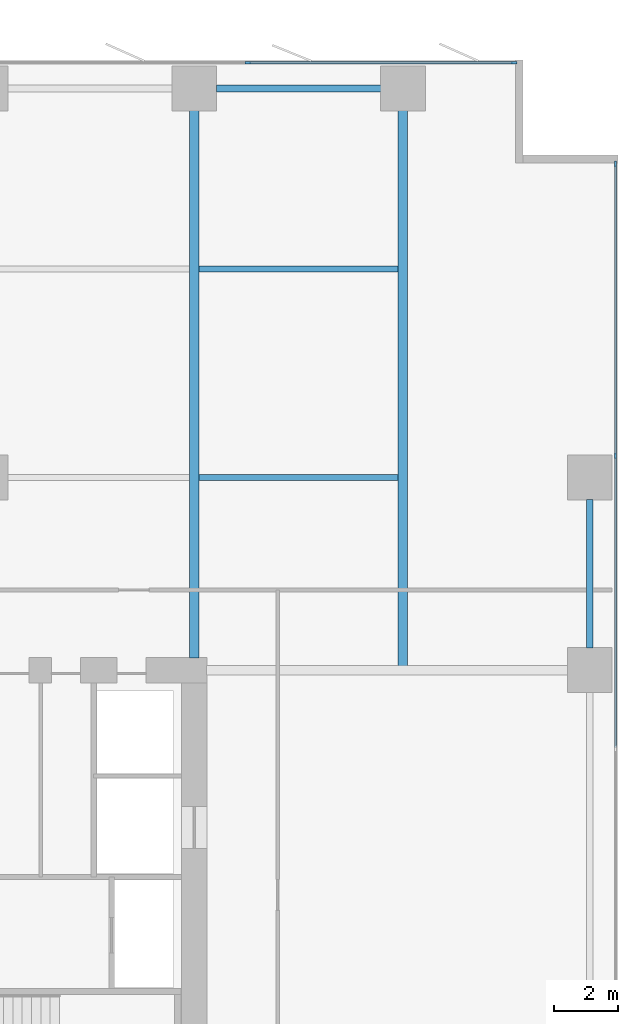
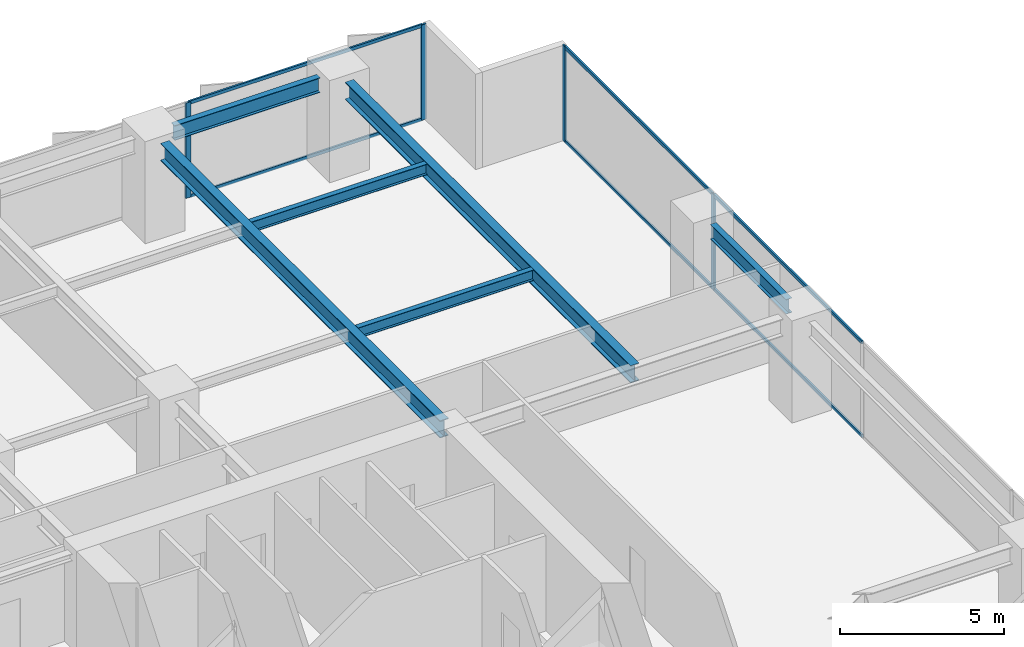
# One storey, part 11 of 21: 10 members, 6 beams, 2 elements without a shape of their own.
"""IFC4 building model written with IfcOpenShell, lengths in metres."""

from ifc_helpers import new_model, si_unit, direction, frame, origin, origin_2d, place, context, subcontext, project, spatial, rectangle, i_section, extrude, material, layer, layer_set, material_profile, profile_set, type_object, element, aggregate, save


model = new_model("IFC4")

# Units and contexts
model_context = context("Model", 3, precision=1e-05, world=origin(), true_north=direction((0.0, 1.0)))
body_context = subcontext(model_context, "Body", "Model", "MODEL_VIEW")
ifc_project = project(units=[si_unit("LENGTHUNIT", "METRE"), si_unit("AREAUNIT", "SQUARE_METRE"), si_unit("VOLUMEUNIT", "CUBIC_METRE"), si_unit("PLANEANGLEUNIT", "RADIAN"), si_unit("MASSUNIT", "GRAM", prefix="KILO")], contexts=[model_context])

# Site, building, storey
site_placement = place(None, origin())
site = spatial("IfcSite", under=ifc_project, at=site_placement, CompositionType="ELEMENT")
building_placement = place(site_placement, origin())
building = spatial("IfcBuilding", under=site, at=building_placement, Name="Putna Gate Headquarters", CompositionType="ELEMENT")
storey_placement = place(building_placement, frame((0.0, 0.0, 39.199951171875)))
storey = spatial("IfcBuildingStorey", under=building, at=storey_placement, Name="L08", CompositionType="ELEMENT", Elevation=39.199951171875)

# Beams
ifc_material_1 = material(Name="Steel S355J2", Category="steel")
ifc_material_profile_1 = material_profile(ifc_material_1, i_section(OverallWidth=0.300048828125, OverallDepth=0.64990234375, WebThickness=0.01611328125, FlangeThickness=0.031005859375, at=origin_2d()), Name="Steel S355J2")
ifc_profile_set_1 = profile_set([ifc_material_profile_1], Name="Steel S355J2")
beam_type_1 = type_object("IfcBeamType", Name="BM-GIRD-Z1-HEB650", PredefinedType="USERDEFINED", material=ifc_profile_set_1)
beam_1_placement = place(storey_placement, frame((65.0, 33.385009765625, 3.22509765625), z_axis=(0.0, 1.0, 0.0), x_axis=(-1.0, 0.0, 0.0)))
element("IfcBeam", 1, at=beam_1_placement, inside=storey, type_object=beam_type_1, Name="L08 North Primary Girder X65", ObjectType="GIRDER", PredefinedType="USERDEFINED", context=body_context, shape_type="SweptSolid", body=[
    extrude(i_section(OverallWidth=0.300048828125, OverallDepth=0.64990234375, WebThickness=0.01611328125, FlangeThickness=0.031005859375, at=origin_2d()), origin(), (0.0, 0.0, 1.0), 17.046875),
])
beam_2_placement = place(storey_placement, frame((71.5, 33.011962890625, 3.22509765625), z_axis=(0.0, 1.0, 0.0), x_axis=(-1.0, 0.0, 0.0)))
element("IfcBeam", 2, at=beam_2_placement, inside=storey, type_object=beam_type_1, Name="L08 North Primary Girder X71", ObjectType="GIRDER", PredefinedType="USERDEFINED", context=body_context, shape_type="SweptSolid", body=[
    extrude(i_section(OverallWidth=0.300048828125, OverallDepth=0.64990234375, WebThickness=0.01611328125, FlangeThickness=0.031005859375, at=origin_2d()), origin(), (0.0, 0.0, 1.0), 17.419921875),
])
ifc_material_profile_2 = material_profile(ifc_material_1, i_section(OverallWidth=0.179931640625, OverallDepth=0.39990234375, WebThickness=0.008544921875, FlangeThickness=0.013427734375, at=origin_2d()), Name="Steel S355J2")
ifc_profile_set_2 = profile_set([ifc_material_profile_2], Name="Steel S355J2")
beam_type_2 = type_object("IfcBeamType", Name="BM-SEC-Z1-IPE400", PredefinedType="BEAM", material=ifc_profile_set_2)
for number, where, z_axis, x_axis, name in (
    (3, (65.154052734375, 39.0, 3.35009765625), (1.0, 0.0, 0.0), (0.0, 1.0, 0.0), "L08 North Secondary Beam 10"),
    (4, (65.154052734375, 45.5, 3.35009765625), (1.0, 0.0, 0.0), (0.0, 1.0, 0.0), "L08 North Secondary Beam 10"),
):
    element("IfcBeam", number, at=place(storey_placement, frame(where, z_axis=z_axis, x_axis=x_axis)), inside=storey, type_object=beam_type_2, Name=name, PredefinedType="BEAM", context=body_context, shape_type="SweptSolid", body=[
        extrude(i_section(OverallWidth=0.179931640625, OverallDepth=0.39990234375, WebThickness=0.008544921875, FlangeThickness=0.013427734375, at=origin_2d()), origin(), (0.0, 0.0, 1.0), 6.19189453125),
    ])
ifc_material_profile_3 = material_profile(ifc_material_1, i_section(OverallWidth=0.2099609375, OverallDepth=0.550048828125, WebThickness=0.010986328125, FlangeThickness=0.01708984375, at=origin_2d()), Name="Steel S355J2")
ifc_profile_set_3 = profile_set([ifc_material_profile_3], Name="Steel S355J2")
beam_type_3 = type_object("IfcBeamType", Name="BM-SPAN-Z1-IPE550", PredefinedType="SPANDREL", material=ifc_profile_set_3)
beam_3_placement = place(storey_placement, frame((65.68798828125, 51.1201171875, 3.275146484375), z_axis=(1.0, 0.0, 0.0), x_axis=(0.0, 1.0, 0.0)))
element("IfcBeam", 5, at=beam_3_placement, inside=storey, type_object=beam_type_3, Name="L08 N Perimeter Spandrel 10", PredefinedType="SPANDREL", context=body_context, shape_type="SweptSolid", body=[
    extrude(i_section(OverallWidth=0.2099609375, OverallDepth=0.550048828125, WebThickness=0.010986328125, FlangeThickness=0.01708984375, at=origin_2d()), origin(), (0.0, 0.0, 1.0), 5.1240234375),
])
beam_4_placement = place(storey_placement, frame((77.320068359375, 33.68798828125, 3.275146484375), z_axis=(0.0, 1.0, 0.0), x_axis=(-1.0, 0.0, 0.0)))
element("IfcBeam", 6, at=beam_4_placement, inside=storey, type_object=beam_type_3, Name="L08 E End Spandrel 3", PredefinedType="SPANDREL", context=body_context, shape_type="SweptSolid", body=[
    extrude(i_section(OverallWidth=0.2099609375, OverallDepth=0.550048828125, WebThickness=0.010986328125, FlangeThickness=0.01708984375, at=origin_2d()), origin(), (0.0, 0.0, 1.0), 4.6240234375),
])

# Curtain wall, members
ifc_material_2 = material(Name="Anodised bronze aluminium curtain wall", Category="aluminium")
ifc_layer = layer(ifc_material_2, 0.179931640625)
ifc_layer_set = layer_set([ifc_layer], Name="Anodised bronze aluminium curtain wall")
curtain_wall_type = type_object("IfcCurtainWallType", Name="CW-SYS-Z1", PredefinedType="USERDEFINED", material=ifc_layer_set)
curtain_wall_1_placement = place(storey_placement, origin())
curtain_wall_1 = element("IfcCurtainWall", 7, at=curtain_wall_1_placement, inside=storey, type_object=curtain_wall_type, Name="L08 North East Curtain Wall", ObjectType="STICK CURTAIN WALL", PredefinedType="USERDEFINED")
ifc_material_3 = material(Name="Anodised bronze aluminium EN AW-6060", Category="aluminium")
ifc_material_profile_4 = material_profile(ifc_material_3, rectangle(XDim=0.070068359375, YDim=0.179931640625, at=origin_2d()), Name="Anodised bronze aluminium EN AW-6060")
ifc_profile_set_4 = profile_set([ifc_material_profile_4], Name="Anodised bronze aluminium EN AW-6060")
member_type_1 = type_object("IfcMemberType", Name="MULL-CWM-1", PredefinedType="MULLION", material=ifc_profile_set_4)
member_1_placement = place(storey_placement, frame((66.666748046875, 51.919921875, 0.0), z_axis=(0.0, 0.0, 1.0), x_axis=(0.0, 1.0, 0.0)))
member_1 = element("IfcMember", 8, at=member_1_placement, type_object=member_type_1, Name="CWS-1 mullion 3", PredefinedType="MULLION", context=body_context, shape_type="SweptSolid", body=[
    extrude(rectangle(XDim=0.070068359375, YDim=0.179931640625, at=origin_2d()), origin(), (0.0, 0.0, 1.0), 3.550048828125),
])
member_2_placement = place(storey_placement, frame((74.965087890625, 51.919921875, 0.0), z_axis=(0.0, 0.0, 1.0), x_axis=(0.0, 1.0, 0.0)))
member_2 = element("IfcMember", 9, at=member_2_placement, type_object=member_type_1, Name="CWS-1 mullion 4", PredefinedType="MULLION", context=body_context, shape_type="SweptSolid", body=[
    extrude(rectangle(XDim=0.070068359375, YDim=0.179931640625, at=origin_2d()), origin(), (0.0, 0.0, 1.0), 3.550048828125),
])

curtain_wall_2_placement = place(storey_placement, origin())
curtain_wall_2 = element("IfcCurtainWall", 10, at=curtain_wall_2_placement, inside=storey, type_object=curtain_wall_type, Name="L08 East Curtain Wall", ObjectType="STICK CURTAIN WALL", PredefinedType="USERDEFINED")
member_3_placement = place(storey_placement, frame((78.1201171875, 39.679931640625, 0.0), z_axis=(0.0, 0.0, 1.0), x_axis=(-1.0, 0.0, 0.0)))
member_3 = element("IfcMember", 11, at=member_3_placement, type_object=member_type_1, Name="CWS-1 mullion 5", PredefinedType="MULLION", context=body_context, shape_type="SweptSolid", body=[
    extrude(rectangle(XDim=0.070068359375, YDim=0.179931640625, at=origin_2d()), origin(), (0.0, 0.0, 1.0), 3.550048828125),
])
member_4_placement = place(storey_placement, frame((78.1201171875, 48.764892578125, 0.0), z_axis=(0.0, 0.0, 1.0), x_axis=(-1.0, 0.0, 0.0)))
member_4 = element("IfcMember", 12, at=member_4_placement, type_object=member_type_1, Name="CWS-1 mullion 6", PredefinedType="MULLION", context=body_context, shape_type="SweptSolid", body=[
    extrude(rectangle(XDim=0.070068359375, YDim=0.179931640625, at=origin_2d()), origin(), (0.0, 0.0, 1.0), 3.550048828125),
])

# Member
ifc_material_profile_5 = material_profile(ifc_material_3, rectangle(XDim=0.06494140625, YDim=0.1201171875, at=origin_2d()), Name="Anodised bronze aluminium EN AW-6060")
ifc_profile_set_5 = profile_set([ifc_material_profile_5], Name="Anodised bronze aluminium EN AW-6060")
member_type_2 = type_object("IfcMemberType", Name="TRAN-CWT-1", PredefinedType="USERDEFINED", material=ifc_profile_set_5)
member_5_placement = place(storey_placement, frame((66.70166015625, 51.919921875, 0.032470703125), z_axis=(1.0, 0.0, 0.0), x_axis=(0.0, 1.0, 0.0)))
member_5 = element("IfcMember", 13, at=member_5_placement, type_object=member_type_2, Name="CWS-1 transom 3.1", ObjectType="TRANSOM", PredefinedType="USERDEFINED", context=body_context, shape_type="SweptSolid", body=[
    extrude(rectangle(XDim=0.06494140625, YDim=0.1201171875, at=origin_2d()), origin(), (0.0, 0.0, 1.0), 8.228271484375),
])

member_6_placement = place(storey_placement, frame((66.70166015625, 51.919921875, 3.517578125), z_axis=(1.0, 0.0, 0.0), x_axis=(0.0, 1.0, 0.0)))
member_6 = element("IfcMember", 14, at=member_6_placement, type_object=member_type_2, Name="CWS-1 transom 3.2", ObjectType="TRANSOM", PredefinedType="USERDEFINED", context=body_context, shape_type="SweptSolid", body=[
    extrude(rectangle(XDim=0.06494140625, YDim=0.1201171875, at=origin_2d()), origin(), (0.0, 0.0, 1.0), 8.228271484375),
])

aggregate(curtain_wall_1, [member_1, member_2, member_5, member_6])

member_7_placement = place(storey_placement, frame((78.1201171875, 30.594970703125, 0.032470703125), z_axis=(0.0, 1.0, 0.0), x_axis=(-1.0, 0.0, 0.0)))
member_7 = element("IfcMember", 15, at=member_7_placement, type_object=member_type_2, Name="CWS-1 transom 4.1", ObjectType="TRANSOM", PredefinedType="USERDEFINED", context=body_context, shape_type="SweptSolid", body=[
    extrude(rectangle(XDim=0.06494140625, YDim=0.1201171875, at=origin_2d()), origin(), (0.0, 0.0, 1.0), 9.050048828125),
])

member_8_placement = place(storey_placement, frame((78.1201171875, 30.594970703125, 3.517578125), z_axis=(0.0, 1.0, 0.0), x_axis=(-1.0, 0.0, 0.0)))
member_8 = element("IfcMember", 16, at=member_8_placement, type_object=member_type_2, Name="CWS-1 transom 4.2", ObjectType="TRANSOM", PredefinedType="USERDEFINED", context=body_context, shape_type="SweptSolid", body=[
    extrude(rectangle(XDim=0.06494140625, YDim=0.1201171875, at=origin_2d()), origin(), (0.0, 0.0, 1.0), 9.050048828125),
])

member_9_placement = place(storey_placement, frame((78.1201171875, 39.715087890625, 0.032470703125), z_axis=(0.0, 1.0, 0.0), x_axis=(-1.0, 0.0, 0.0)))
member_9 = element("IfcMember", 17, at=member_9_placement, type_object=member_type_2, Name="CWS-1 transom 5.1", ObjectType="TRANSOM", PredefinedType="USERDEFINED", context=body_context, shape_type="SweptSolid", body=[
    extrude(rectangle(XDim=0.06494140625, YDim=0.1201171875, at=origin_2d()), origin(), (0.0, 0.0, 1.0), 9.014892578125),
])

member_10_placement = place(storey_placement, frame((78.1201171875, 39.715087890625, 3.517578125), z_axis=(0.0, 1.0, 0.0), x_axis=(-1.0, 0.0, 0.0)))
member_10 = element("IfcMember", 18, at=member_10_placement, type_object=member_type_2, Name="CWS-1 transom 5.2", ObjectType="TRANSOM", PredefinedType="USERDEFINED", context=body_context, shape_type="SweptSolid", body=[
    extrude(rectangle(XDim=0.06494140625, YDim=0.1201171875, at=origin_2d()), origin(), (0.0, 0.0, 1.0), 9.014892578125),
])

aggregate(curtain_wall_2, [member_3, member_4, member_7, member_8, member_9, member_10])

save(model, "model.ifc")
